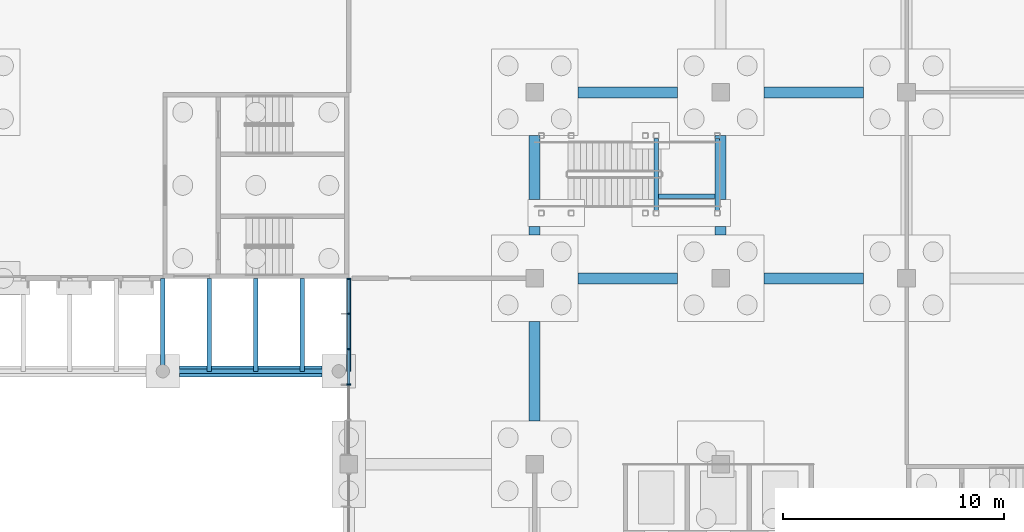
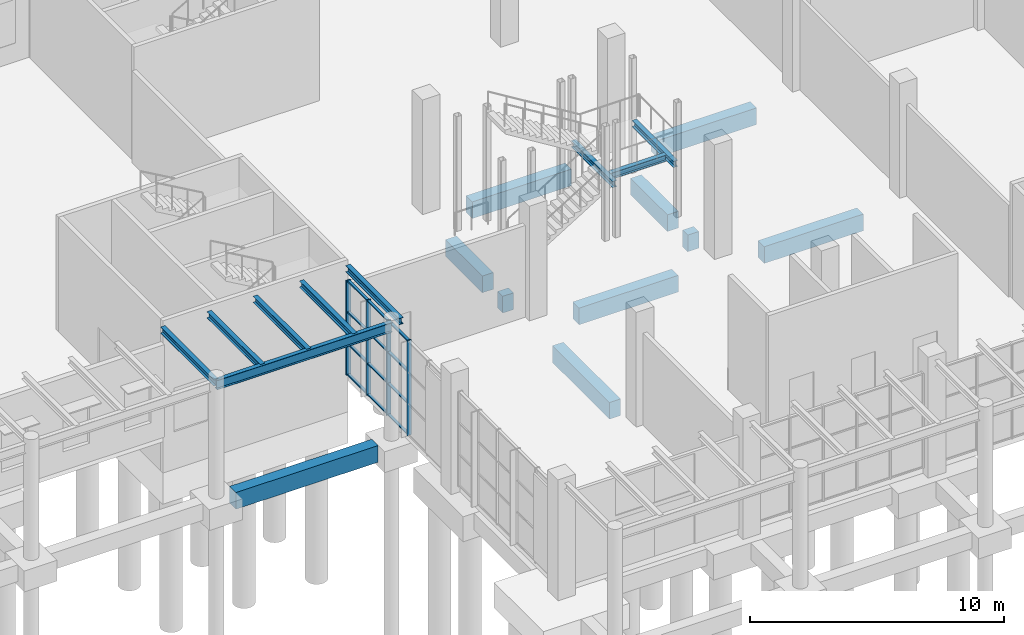
# One storey, part 15 of 82: 21 members, 14 beams, 1 element without a shape of its own.
"""IFC4 building model written with IfcOpenShell, lengths in metres."""

from ifc_helpers import new_model, si_unit, direction, frame, origin, origin_2d, place, context, subcontext, project, spatial, rectangle, i_section, extrude, material, material_profile, profile_set, type_object, element, aggregate, save


model = new_model("IFC4")

# Units and contexts
model_context = context("Model", 3, precision=1e-05, world=origin(), true_north=direction((0.0, 1.0)))
body_context = subcontext(model_context, "Body", "Model", "MODEL_VIEW")
ifc_project = project(units=[si_unit("LENGTHUNIT", "METRE"), si_unit("AREAUNIT", "SQUARE_METRE"), si_unit("VOLUMEUNIT", "CUBIC_METRE"), si_unit("PLANEANGLEUNIT", "RADIAN"), si_unit("MASSUNIT", "GRAM", prefix="KILO")], contexts=[model_context])

# Site, building, storey
site_placement = place(None, origin())
site = spatial("IfcSite", under=ifc_project, at=site_placement, CompositionType="ELEMENT")
building_placement = place(site_placement, origin())
building = spatial("IfcBuilding", under=site, at=building_placement, Name="Almond Square Museum", CompositionType="ELEMENT")
storey_placement = place(building_placement, origin())
storey = spatial("IfcBuildingStorey", under=building, at=storey_placement, Name="L00", CompositionType="ELEMENT", Elevation=0.0)

# Curtain wall, members
ifc_material_1 = material(Name="Aluminium and laminated glass", Category="aluminium")
curtain_wall_type = type_object("IfcCurtainWallType", Name="Unitised curtain wall 1500 module", PredefinedType="NOTDEFINED", material=ifc_material_1)
curtain_wall_placement = place(storey_placement, origin())
curtain_wall = element("IfcCurtainWall", 1, at=curtain_wall_placement, inside=storey, type_object=curtain_wall_type, Name="Curtain wall CW-01", PredefinedType="NOTDEFINED")
ifc_material_2 = material(Name="Anodised aluminium", Category="aluminium")
ifc_material_profile_1 = material_profile(ifc_material_2, rectangle(XDim=0.199951171875, YDim=0.06005859375, at=origin_2d()))
ifc_profile_set_1 = profile_set([ifc_material_profile_1], Name="Anodised aluminium")
member_type_1 = type_object("IfcMemberType", Name="Aluminium mullion 60 x 200", PredefinedType="MULLION", material=ifc_profile_set_1)
member_1_placement = place(storey_placement, frame((73.199951171875, 79.199951171875, 0.0), z_axis=(0.0, 0.0, 1.0), x_axis=(-1.0, 0.0, 0.0)))
member_1 = element("IfcMember", 2, at=member_1_placement, type_object=member_type_1, Name="CW-01 mullion 3", PredefinedType="MULLION", context=body_context, shape_type="SweptSolid", body=[
    extrude(rectangle(XDim=0.199951171875, YDim=0.06005859375, at=origin_2d()), origin(), (0.0, 0.0, 1.0), 4.550048828125),
])
member_2_placement = place(storey_placement, frame((73.199951171875, 80.800048828125, 0.0), z_axis=(0.0, 0.0, 1.0), x_axis=(-1.0, 0.0, 0.0)))
member_2 = element("IfcMember", 3, at=member_2_placement, type_object=member_type_1, Name="CW-01 mullion 4", PredefinedType="MULLION", context=body_context, shape_type="SweptSolid", body=[
    extrude(rectangle(XDim=0.199951171875, YDim=0.06005859375, at=origin_2d()), origin(), (0.0, 0.0, 1.0), 4.550048828125),
])
member_3_placement = place(storey_placement, frame((73.199951171875, 82.39990234375, 0.0), z_axis=(0.0, 0.0, 1.0), x_axis=(-1.0, 0.0, 0.0)))
member_3 = element("IfcMember", 4, at=member_3_placement, type_object=member_type_1, Name="CW-01 mullion 5", PredefinedType="MULLION", context=body_context, shape_type="SweptSolid", body=[
    extrude(rectangle(XDim=0.199951171875, YDim=0.06005859375, at=origin_2d()), origin(), (0.0, 0.0, 1.0), 4.550048828125),
])
member_4_placement = place(storey_placement, frame((73.199951171875, 83.969970703125, 0.0), z_axis=(0.0, 0.0, 1.0), x_axis=(-1.0, 0.0, 0.0)))
member_4 = element("IfcMember", 5, at=member_4_placement, type_object=member_type_1, Name="CW-01 mullion 6", PredefinedType="MULLION", context=body_context, shape_type="SweptSolid", body=[
    extrude(rectangle(XDim=0.199951171875, YDim=0.06005859375, at=origin_2d()), origin(), (0.0, 0.0, 1.0), 4.550048828125),
])
ifc_material_3 = material(Name="Anodised aluminium", Category="aluminium")
ifc_material_profile_2 = material_profile(ifc_material_3, rectangle(XDim=0.1201171875, YDim=0.06005859375, at=origin_2d()))
ifc_profile_set_2 = profile_set([ifc_material_profile_2], Name="Anodised aluminium")
member_type_2 = type_object("IfcMemberType", Name="Aluminium transom 60 x 120", PredefinedType="USERDEFINED", material=ifc_profile_set_2)
member_5_placement = place(storey_placement, frame((73.199951171875, 79.22998046875, 0.030029296875), z_axis=(0.0, 1.0, 0.0), x_axis=(-1.0, 0.0, 0.0)))
member_5 = element("IfcMember", 6, at=member_5_placement, type_object=member_type_2, Name="CW-01 transom 3.1", ObjectType="TRANSOM", PredefinedType="USERDEFINED", context=body_context, shape_type="SweptSolid", body=[
    extrude(rectangle(XDim=0.1201171875, YDim=0.06005859375, at=origin_2d()), origin(), (0.0, 0.0, 1.0), 1.5400390625),
])
member_6_placement = place(storey_placement, frame((73.199951171875, 79.22998046875, 1.5166015625), z_axis=(0.0, 1.0, 0.0), x_axis=(-1.0, 0.0, 0.0)))
member_6 = element("IfcMember", 7, at=member_6_placement, type_object=member_type_2, Name="CW-01 transom 3.2", ObjectType="TRANSOM", PredefinedType="USERDEFINED", context=body_context, shape_type="SweptSolid", body=[
    extrude(rectangle(XDim=0.1201171875, YDim=0.06005859375, at=origin_2d()), origin(), (0.0, 0.0, 1.0), 1.5400390625),
])
member_7_placement = place(storey_placement, frame((73.199951171875, 79.22998046875, 3.033447265625), z_axis=(0.0, 1.0, 0.0), x_axis=(-1.0, 0.0, 0.0)))
member_7 = element("IfcMember", 8, at=member_7_placement, type_object=member_type_2, Name="CW-01 transom 3.3", ObjectType="TRANSOM", PredefinedType="USERDEFINED", context=body_context, shape_type="SweptSolid", body=[
    extrude(rectangle(XDim=0.1201171875, YDim=0.06005859375, at=origin_2d()), origin(), (0.0, 0.0, 1.0), 1.5400390625),
])
member_8_placement = place(storey_placement, frame((73.199951171875, 79.22998046875, 4.52001953125), z_axis=(0.0, 1.0, 0.0), x_axis=(-1.0, 0.0, 0.0)))
member_8 = element("IfcMember", 9, at=member_8_placement, type_object=member_type_2, Name="CW-01 transom 3.4", ObjectType="TRANSOM", PredefinedType="USERDEFINED", context=body_context, shape_type="SweptSolid", body=[
    extrude(rectangle(XDim=0.1201171875, YDim=0.06005859375, at=origin_2d()), origin(), (0.0, 0.0, 1.0), 1.5400390625),
])
member_9_placement = place(storey_placement, frame((73.199951171875, 80.830078125, 0.030029296875), z_axis=(0.0, 1.0, 0.0), x_axis=(-1.0, 0.0, 0.0)))
member_9 = element("IfcMember", 10, at=member_9_placement, type_object=member_type_2, Name="CW-01 transom 4.1", ObjectType="TRANSOM", PredefinedType="USERDEFINED", context=body_context, shape_type="SweptSolid", body=[
    extrude(rectangle(XDim=0.1201171875, YDim=0.06005859375, at=origin_2d()), origin(), (0.0, 0.0, 1.0), 1.5400390625),
])
member_10_placement = place(storey_placement, frame((73.199951171875, 80.830078125, 1.5166015625), z_axis=(0.0, 1.0, 0.0), x_axis=(-1.0, 0.0, 0.0)))
member_10 = element("IfcMember", 11, at=member_10_placement, type_object=member_type_2, Name="CW-01 transom 4.2", ObjectType="TRANSOM", PredefinedType="USERDEFINED", context=body_context, shape_type="SweptSolid", body=[
    extrude(rectangle(XDim=0.1201171875, YDim=0.06005859375, at=origin_2d()), origin(), (0.0, 0.0, 1.0), 1.5400390625),
])
member_11_placement = place(storey_placement, frame((73.199951171875, 80.830078125, 3.033447265625), z_axis=(0.0, 1.0, 0.0), x_axis=(-1.0, 0.0, 0.0)))
member_11 = element("IfcMember", 12, at=member_11_placement, type_object=member_type_2, Name="CW-01 transom 4.3", ObjectType="TRANSOM", PredefinedType="USERDEFINED", context=body_context, shape_type="SweptSolid", body=[
    extrude(rectangle(XDim=0.1201171875, YDim=0.06005859375, at=origin_2d()), origin(), (0.0, 0.0, 1.0), 1.5400390625),
])
member_12_placement = place(storey_placement, frame((73.199951171875, 80.830078125, 4.52001953125), z_axis=(0.0, 1.0, 0.0), x_axis=(-1.0, 0.0, 0.0)))
member_12 = element("IfcMember", 13, at=member_12_placement, type_object=member_type_2, Name="CW-01 transom 4.4", ObjectType="TRANSOM", PredefinedType="USERDEFINED", context=body_context, shape_type="SweptSolid", body=[
    extrude(rectangle(XDim=0.1201171875, YDim=0.06005859375, at=origin_2d()), origin(), (0.0, 0.0, 1.0), 1.5400390625),
])
member_13_placement = place(storey_placement, frame((73.199951171875, 82.429931640625, 0.030029296875), z_axis=(0.0, 1.0, 0.0), x_axis=(-1.0, 0.0, 0.0)))
member_13 = element("IfcMember", 14, at=member_13_placement, type_object=member_type_2, Name="CW-01 transom 5.1", ObjectType="TRANSOM", PredefinedType="USERDEFINED", context=body_context, shape_type="SweptSolid", body=[
    extrude(rectangle(XDim=0.1201171875, YDim=0.06005859375, at=origin_2d()), origin(), (0.0, 0.0, 1.0), 1.510009765625),
])
member_14_placement = place(storey_placement, frame((73.199951171875, 82.429931640625, 1.5166015625), z_axis=(0.0, 1.0, 0.0), x_axis=(-1.0, 0.0, 0.0)))
member_14 = element("IfcMember", 15, at=member_14_placement, type_object=member_type_2, Name="CW-01 transom 5.2", ObjectType="TRANSOM", PredefinedType="USERDEFINED", context=body_context, shape_type="SweptSolid", body=[
    extrude(rectangle(XDim=0.1201171875, YDim=0.06005859375, at=origin_2d()), origin(), (0.0, 0.0, 1.0), 1.510009765625),
])
member_15_placement = place(storey_placement, frame((73.199951171875, 82.429931640625, 3.033447265625), z_axis=(0.0, 1.0, 0.0), x_axis=(-1.0, 0.0, 0.0)))
member_15 = element("IfcMember", 16, at=member_15_placement, type_object=member_type_2, Name="CW-01 transom 5.3", ObjectType="TRANSOM", PredefinedType="USERDEFINED", context=body_context, shape_type="SweptSolid", body=[
    extrude(rectangle(XDim=0.1201171875, YDim=0.06005859375, at=origin_2d()), origin(), (0.0, 0.0, 1.0), 1.510009765625),
])
member_16_placement = place(storey_placement, frame((73.199951171875, 82.429931640625, 4.52001953125), z_axis=(0.0, 1.0, 0.0), x_axis=(-1.0, 0.0, 0.0)))
member_16 = element("IfcMember", 17, at=member_16_placement, type_object=member_type_2, Name="CW-01 transom 5.4", ObjectType="TRANSOM", PredefinedType="USERDEFINED", context=body_context, shape_type="SweptSolid", body=[
    extrude(rectangle(XDim=0.1201171875, YDim=0.06005859375, at=origin_2d()), origin(), (0.0, 0.0, 1.0), 1.510009765625),
])
aggregate(curtain_wall, [member_1, member_2, member_3, member_4, member_5, member_6, member_7, member_8, member_9, member_10, member_11, member_12, member_13, member_14, member_15, member_16])

# Beams
ifc_material_4 = material(Name="Structural steel S355", Category="steel")
ifc_material_profile_3 = material_profile(ifc_material_4, i_section(OverallWidth=0.19091796875, OverallDepth=0.45703125, WebThickness=0.009033203125, FlangeThickness=0.014404296875, at=origin_2d()))
ifc_profile_set_3 = profile_set([ifc_material_profile_3], Name="Structural steel S355")
beam_type_1 = type_object("IfcBeamType", Name="Eave beam W460x74", PredefinedType="BEAM", material=ifc_profile_set_3)
beam_1_placement = place(storey_placement, frame((64.800048828125, 79.800048828125, 5.021484375), z_axis=(1.0, 0.0, 0.0), x_axis=(0.0, 1.0, 0.0)))
element("IfcBeam", 18, at=beam_1_placement, inside=storey, type_object=beam_type_1, Name="LG-V4N roof edge beam 4", PredefinedType="BEAM", context=body_context, shape_type="SweptSolid", body=[
    extrude(i_section(OverallWidth=0.19091796875, OverallDepth=0.45703125, WebThickness=0.009033203125, FlangeThickness=0.014404296875, at=origin_2d()), origin(), (0.0, 0.0, 1.0), 7.949951171875),
])
ifc_material_5 = material(Name="Structural steel S355", Category="steel")
ifc_material_profile_4 = material_profile(ifc_material_5, i_section(OverallWidth=0.202880859375, OverallDepth=0.302001953125, WebThickness=0.007568359375, FlangeThickness=0.01318359375, at=origin_2d()))
ifc_profile_set_4 = profile_set([ifc_material_profile_4], Name="Structural steel S355")
beam_type_2 = type_object("IfcBeamType", Name="Feature stair landing beam W310x60", PredefinedType="BEAM", material=ifc_profile_set_4)
for number, where, z_axis, x_axis, name in (
    (19, (87.0849609375, 87.074951171875, 2.39892578125), (0.0, 1.0, 0.0), (-1.0, 0.0, 0.0), "L00 atrium feature stair landing beam"),
    (20, (89.85009765625, 87.074951171875, 2.39892578125), (0.0, 1.0, 0.0), (-1.0, 0.0, 0.0), "L00 atrium feature stair landing beam"),
):
    element("IfcBeam", number, at=place(storey_placement, frame(where, z_axis=z_axis, x_axis=x_axis)), inside=storey, type_object=beam_type_2, Name=name, PredefinedType="BEAM", context=body_context, shape_type="SweptSolid", body=[
        extrude(i_section(OverallWidth=0.202880859375, OverallDepth=0.302001953125, WebThickness=0.007568359375, FlangeThickness=0.01318359375, at=origin_2d()), origin(), (0.0, 0.0, 1.0), 3.25),
    ])
beam_2_placement = place(storey_placement, frame((87.1865234375, 87.699951171875, 2.39892578125), z_axis=(1.0, 0.0, 0.0), x_axis=(0.0, 1.0, 0.0)))
element("IfcBeam", 21, at=beam_2_placement, inside=storey, type_object=beam_type_2, Name="L00 atrium feature stair landing trimmer", PredefinedType="BEAM", context=body_context, shape_type="SweptSolid", body=[
    extrude(i_section(OverallWidth=0.202880859375, OverallDepth=0.302001953125, WebThickness=0.007568359375, FlangeThickness=0.01318359375, at=origin_2d()), origin(), (0.0, 0.0, 1.0), 2.56201171875),
])
ifc_material_6 = material(Name="Concrete C35/45", Category="concrete")
ifc_material_profile_5 = material_profile(ifc_material_6, rectangle(XDim=0.5, YDim=0.800048828125, at=origin_2d()))
ifc_profile_set_5 = profile_set([ifc_material_profile_5], Name="Concrete C35/45")
beam_type_3 = type_object("IfcBeamType", Name="RC ground beam 500 x 800 C35/45", PredefinedType="BEAM", material=ifc_profile_set_5)
beam_3_placement = place(storey_placement, frame((65.550048828125, 79.800048828125, -0.699951171875), z_axis=(1.0, 0.0, 0.0), x_axis=(0.0, 1.0, 0.0)))
element("IfcBeam", 22, at=beam_3_placement, inside=storey, type_object=beam_type_3, Name="Ground beam 105", PredefinedType="BEAM", context=body_context, shape_type="SweptSolid", body=[
    extrude(rectangle(XDim=0.5, YDim=0.800048828125, at=origin_2d()), origin(), (0.0, 0.0, 1.0), 6.449951171875),
])
for number, where, z_axis, x_axis, name in (
    (23, (83.550048828125, 84.0, -0.699951171875), (1.0, 0.0, 0.0), (0.0, 1.0, 0.0), "Ground beam 106"),
    (24, (91.949951171875, 84.0, -0.699951171875), (1.0, 0.0, 0.0), (0.0, 1.0, 0.0), "Ground beam 107"),
    (25, (83.550048828125, 92.39990234375, -0.699951171875), (1.0, 0.0, 0.0), (0.0, 1.0, 0.0), "Ground beam 114"),
    (26, (91.949951171875, 92.39990234375, -0.699951171875), (1.0, 0.0, 0.0), (0.0, 1.0, 0.0), "Ground beam 115"),
    (27, (81.60009765625, 77.550048828125, -0.699951171875), (0.0, 1.0, 0.0), (-1.0, 0.0, 0.0), "Ground beam 236"),
):
    element("IfcBeam", number, at=place(storey_placement, frame(where, z_axis=z_axis, x_axis=x_axis)), inside=storey, type_object=beam_type_3, Name=name, PredefinedType="BEAM", context=body_context, shape_type="SweptSolid", body=[
        extrude(rectangle(XDim=0.5, YDim=0.800048828125, at=origin_2d()), origin(), (0.0, 0.0, 1.0), 4.5),
    ])
beam_4_placement = place(storey_placement, frame((81.60009765625, 85.949951171875, -0.699951171875), z_axis=(0.0, 1.0, 0.0), x_axis=(-1.0, 0.0, 0.0)))
element("IfcBeam", 28, at=beam_4_placement, inside=storey, type_object=beam_type_3, Name="Ground beam 237a", PredefinedType="BEAM", context=body_context, shape_type="SweptSolid", body=[
    extrude(rectangle(XDim=0.5, YDim=0.800048828125, at=origin_2d()), origin(), (0.0, 0.0, 1.0), 0.400146484375),
])
beam_5_placement = place(storey_placement, frame((81.60009765625, 87.550048828125, -0.699951171875), z_axis=(0.0, 1.0, 0.0), x_axis=(-1.0, 0.0, 0.0)))
element("IfcBeam", 29, at=beam_5_placement, inside=storey, type_object=beam_type_3, Name="Ground beam 237b", PredefinedType="BEAM", context=body_context, shape_type="SweptSolid", body=[
    extrude(rectangle(XDim=0.5, YDim=0.800048828125, at=origin_2d()), origin(), (0.0, 0.0, 1.0), 2.89990234375),
])
beam_6_placement = place(storey_placement, frame((90.0, 85.949951171875, -0.699951171875), z_axis=(0.0, 1.0, 0.0), x_axis=(-1.0, 0.0, 0.0)))
element("IfcBeam", 30, at=beam_6_placement, inside=storey, type_object=beam_type_3, Name="Ground beam 241a", PredefinedType="BEAM", context=body_context, shape_type="SweptSolid", body=[
    extrude(rectangle(XDim=0.5, YDim=0.800048828125, at=origin_2d()), origin(), (0.0, 0.0, 1.0), 0.400146484375),
])
beam_7_placement = place(storey_placement, frame((90.0, 87.550048828125, -0.699951171875), z_axis=(0.0, 1.0, 0.0), x_axis=(-1.0, 0.0, 0.0)))
element("IfcBeam", 31, at=beam_7_placement, inside=storey, type_object=beam_type_3, Name="Ground beam 241b", PredefinedType="BEAM", context=body_context, shape_type="SweptSolid", body=[
    extrude(rectangle(XDim=0.5, YDim=0.800048828125, at=origin_2d()), origin(), (0.0, 0.0, 1.0), 2.89990234375),
])

# Members
ifc_material_7 = material(Name="Structural steel S355", Category="steel")
ifc_material_profile_6 = material_profile(ifc_material_7, i_section(OverallWidth=0.202880859375, OverallDepth=0.302001953125, WebThickness=0.007568359375, FlangeThickness=0.01318359375, at=origin_2d()))
ifc_profile_set_6 = profile_set([ifc_material_profile_6], Name="Structural steel S355")
member_type_3 = type_object("IfcMemberType", Name="Steel joist W310x60", PredefinedType="MEMBER", material=ifc_profile_set_6)
for number, where, z_axis, x_axis, name in (
    (32, (64.800048828125, 84.0, 5.09912109375), (0.0, -1.0, 0.0), (1.0, 0.0, 0.0), "LG-V4N roof joist 13"),
    (33, (66.89990234375, 84.0, 5.09912109375), (0.0, -1.0, 0.0), (1.0, 0.0, 0.0), "LG-V4N roof joist 14"),
    (34, (69.0, 84.0, 5.09912109375), (0.0, -1.0, 0.0), (1.0, 0.0, 0.0), "LG-V4N roof joist 15"),
    (35, (71.10009765625, 84.0, 5.09912109375), (0.0, -1.0, 0.0), (1.0, 0.0, 0.0), "LG-V4N roof joist 16"),
    (36, (73.199951171875, 84.0, 5.09912109375), (0.0, -1.0, 0.0), (1.0, 0.0, 0.0), "LG-V4N roof joist 17"),
):
    element("IfcMember", number, at=place(storey_placement, frame(where, z_axis=z_axis, x_axis=x_axis)), inside=storey, type_object=member_type_3, Name=name, PredefinedType="MEMBER", context=body_context, shape_type="SweptSolid", body=[
        extrude(i_section(OverallWidth=0.202880859375, OverallDepth=0.302001953125, WebThickness=0.007568359375, FlangeThickness=0.01318359375, at=origin_2d()), origin(), (0.0, 0.0, 1.0), 4.199951171875),
    ])

save(model, "model.ifc")
